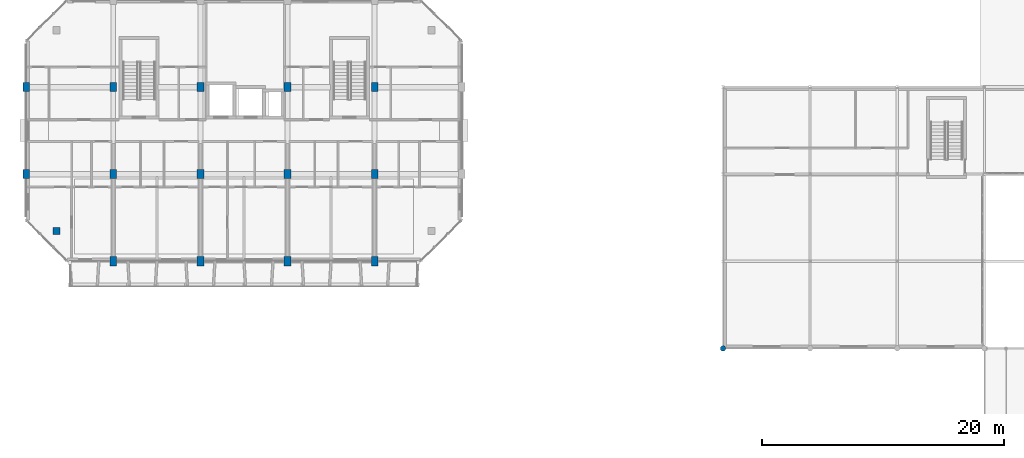
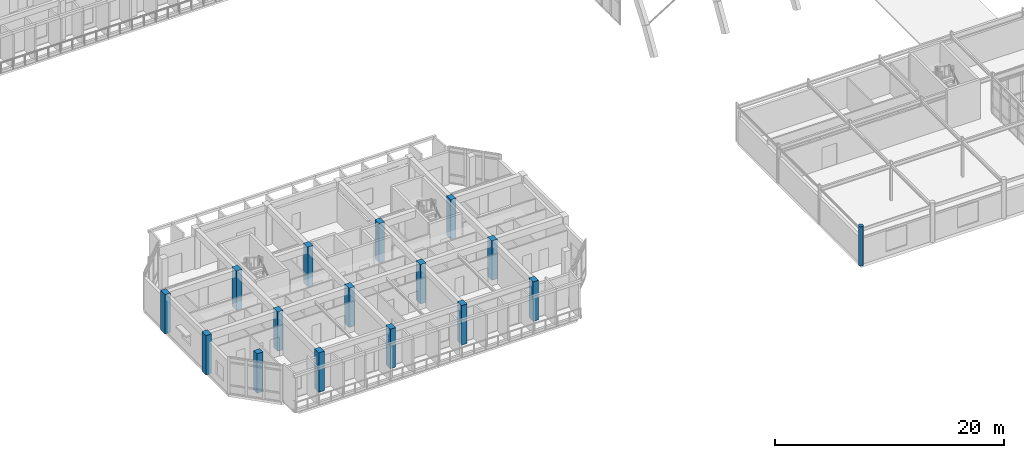
# One storey, part 1 of 85: 16 columns.
"""IFC4 building model written with IfcOpenShell, lengths in metres."""

import ifcopenshell
import ifcopenshell.guid

model = None  # the IFC model being written
_history = None  # IfcOwnerHistory: only IFC2X3 demands one
_inside = {}  # id of a spatial element -> (the spatial element, [elements in it])
_under = {}  # id of a project, library or spatial element -> (it, [spatial elements below it])
_declared = {}  # id of a project -> (the project, [libraries it declares])
_typed = {}  # id of a type object -> (the type object, [elements of that type])
_made_of = {}  # id of a material, layer set ... -> (it, [elements and type objects made of it])


def new_model(schema):
    """Start an empty IFC model of exactly this schema.

    Asked for "IFC4X3", IfcOpenShell would pick the latest addendum, in which some entities
    have other attributes; the version numbers below select the first issue.
    IFC2X3 requires an IfcOwnerHistory on every rooted entity: one is made here for all.
    """
    global model, _history
    if schema == "IFC4X3":
        model = ifcopenshell.file(schema_version=(4, 3, 0, 0))
    else:
        model = ifcopenshell.file(schema=schema)
    _inside.clear()
    _under.clear()
    _declared.clear()
    _typed.clear()
    _made_of.clear()
    _history = None
    if model.schema == "IFC2X3":
        org = make("IfcOrganization", Name="unknown")
        user = make(
            "IfcPersonAndOrganization",
            ThePerson=make("IfcPerson", FamilyName="unknown"),
            TheOrganization=org,
        )
        app = make(
            "IfcApplication",
            ApplicationDeveloper=org,
            Version="unknown",
            ApplicationFullName="unknown",
            ApplicationIdentifier="unknown",
        )
        _history = make(
            "IfcOwnerHistory",
            OwningUser=user,
            OwningApplication=app,
            ChangeAction="ADDED",
            CreationDate=0,
        )
    return model


def make(cls, **values):
    """One entity of the class cls with the attributes given. An attribute that is None is left unset."""
    return model.create_entity(
        cls, **{name: value for name, value in values.items() if value is not None}
    )


def rooted(cls, **values):
    """An entity with a GlobalId (a new one), such as an element, a storey or a relation."""
    return make(cls, GlobalId=ifcopenshell.guid.new(), OwnerHistory=_history, **values)


def si_unit(unit_type, name, prefix=None):
    """IfcSIUnit, for example si_unit("LENGTHUNIT", "METRE", prefix="MILLI")."""
    return make("IfcSIUnit", UnitType=unit_type, Prefix=prefix, Name=name)


def assignment(units):
    """IfcUnitAssignment: the units of a project."""
    return None if units is None else make("IfcUnitAssignment", Units=units)


def point(xyz):
    """IfcCartesianPoint."""
    return None if xyz is None else make("IfcCartesianPoint", Coordinates=xyz)


def direction(xyz):
    """IfcDirection."""
    return None if xyz is None else make("IfcDirection", DirectionRatios=xyz)


def frame(location, z_axis=None, x_axis=None):
    """IfcAxis2Placement3D, a coordinate frame: its origin and axes. An axis left out is left unset."""
    return make(
        "IfcAxis2Placement3D",
        Location=point(location),
        Axis=direction(z_axis),
        RefDirection=direction(x_axis),
    )


def frame_2d(location, x_axis=None):
    """IfcAxis2Placement2D, a coordinate frame in the plane: its origin and x axis."""
    return make(
        "IfcAxis2Placement2D", Location=point(location), RefDirection=direction(x_axis)
    )


def origin():
    """The frame at (0, 0, 0) with its axes left unset."""
    return frame((0.0, 0.0, 0.0))


def origin_2d():
    """The frame at (0, 0) in the plane with its x axis left unset."""
    return frame_2d((0.0, 0.0))


def place(relative_to, where):
    """IfcLocalPlacement: puts the frame where relative to a parent placement (None: the world)."""
    return make(
        "IfcLocalPlacement", PlacementRelTo=relative_to, RelativePlacement=where
    )


def context(
    kind, dimensions, precision=None, world=None, true_north=None, identifier=None
):
    """IfcGeometricRepresentationContext, for example the 3D "Model" context."""
    return make(
        "IfcGeometricRepresentationContext",
        ContextIdentifier=identifier,
        ContextType=kind,
        CoordinateSpaceDimension=dimensions,
        Precision=precision,
        WorldCoordinateSystem=world,
        TrueNorth=true_north,
    )


def subcontext(parent, identifier, kind, view, scale=None):
    """IfcGeometricRepresentationSubContext, for example "Body" below "Model"."""
    return make(
        "IfcGeometricRepresentationSubContext",
        ContextIdentifier=identifier,
        ContextType=kind,
        ParentContext=parent,
        TargetScale=scale,
        TargetView=view,
    )


def project(units=None, contexts=None):
    """IfcProject with its units and contexts."""
    return rooted(
        "IfcProject",
        Name="project",
        RepresentationContexts=contexts,
        UnitsInContext=assignment(units),
    )


def spatial(cls, under=None, at=None, **own):
    """A site, building, storey or space (cls), placed at a placement, below another one or the project."""
    s = rooted(cls, ObjectPlacement=at, **own)
    if under is not None:
        _under.setdefault(under.id(), (under, []))[1].append(s)
    return s


def profile(cls, at=None, kind="AREA", **sizes):
    """A parametric profile (cls). Its sizes go by their IFC names, for example OverallWidth=200.0."""
    return make(cls, ProfileType=kind, Position=at, **sizes)


def rectangle(**sizes):
    """IfcRectangleProfileDef."""
    return profile("IfcRectangleProfileDef", **sizes)


def circle(**sizes):
    """IfcCircleProfileDef."""
    return profile("IfcCircleProfileDef", **sizes)


def extrude(swept, where, along, depth):
    """IfcExtrudedAreaSolid: the profile swept, set in the frame where, extruded along a direction by depth."""
    return make(
        "IfcExtrudedAreaSolid",
        SweptArea=swept,
        Position=where,
        ExtrudedDirection=direction(along),
        Depth=depth,
    )


def shape(context_of_items, identifier, shape_type, items):
    """IfcShapeRepresentation: the items that make up one representation, for example the "Body"."""
    return make(
        "IfcShapeRepresentation",
        ContextOfItems=context_of_items,
        RepresentationIdentifier=identifier,
        RepresentationType=shape_type,
        Items=items,
    )


def material(Name=None, Category=None):
    """IfcMaterial."""
    return make("IfcMaterial", Name=Name, Category=Category)


def material_profile(
    of_material, cross_section, Name=None, Category=None, Priority=None
):
    """IfcMaterialProfile: a cross section and its material."""
    return make(
        "IfcMaterialProfile",
        Name=Name,
        Material=of_material,
        Profile=cross_section,
        Priority=Priority,
        Category=Category,
    )


def profile_set(profiles, Name=None, composite=None):
    """IfcMaterialProfileSet."""
    return make(
        "IfcMaterialProfileSet",
        Name=Name,
        MaterialProfiles=profiles,
        CompositeProfile=composite,
    )


def made_of(thing, what):
    """Note that an element or type object is made of a material, layer set ...; save() writes the relation."""
    if what is not None:
        _made_of.setdefault(what.id(), (what, []))[1].append(thing)
    return thing


def type_object(cls, material=None, **own):
    """A type object (cls), such as IfcWallType, which elements share."""
    return made_of(rooted(cls, **own), material)


def element(
    cls,
    number,
    at=None,
    inside=None,
    cuts=None,
    type_object=None,
    material=None,
    context=None,
    identifier="Body",
    shape_type=None,
    held_by="IfcProductDefinitionShape",
    body=None,
    shapes=None,
    **own,
):
    """One element of the class cls, such as IfcWall. Its Tag is "e" and its number.

    at: its placement. inside: the storey or other place that contains it. cuts: it is an
    opening in that element (IfcRelVoidsElement). A single representation is given by context,
    identifier, shape_type and body (its items); several are given by shapes. held_by: the class
    of the entity that holds the representations. save() writes the other relations.
    """
    e = rooted(cls, Tag="e%d" % number, ObjectPlacement=at, **own)
    if body is not None:
        shapes = [shape(context, identifier, shape_type, body)]
    if shapes is not None:
        e.Representation = make(held_by, Representations=shapes)
    if inside is not None:
        _inside.setdefault(inside.id(), (inside, []))[1].append(e)
    if cuts is not None:
        rooted(
            "IfcRelVoidsElement", RelatingBuildingElement=cuts, RelatedOpeningElement=e
        )
    if type_object is not None:
        _typed.setdefault(type_object.id(), (type_object, []))[1].append(e)
    return made_of(e, material)


def aggregate(whole, parts):
    """IfcRelAggregates: a whole, such as a stair, and the parts it consists of."""
    return rooted("IfcRelAggregates", RelatingObject=whole, RelatedObjects=parts)


def save(model, path):
    """Write the relations noted so far, then the file.

    IfcRelAggregates (storeys below a building ...), IfcRelContainedInSpatialStructure (elements
    in a storey), IfcRelDefinesByType, IfcRelAssociatesMaterial and IfcRelDeclares: one each for
    every whole, place, type object, material and project.
    """
    for whole, parts in _under.values():
        aggregate(whole, parts)
    for where, things in _inside.values():
        rooted(
            "IfcRelContainedInSpatialStructure",
            RelatedElements=things,
            RelatingStructure=where,
        )
    for kind, things in _typed.values():
        rooted("IfcRelDefinesByType", RelatedObjects=things, RelatingType=kind)
    for what, things in _made_of.values():
        rooted("IfcRelAssociatesMaterial", RelatedObjects=things, RelatingMaterial=what)
    for by, libraries in _declared.values():
        rooted("IfcRelDeclares", RelatingContext=by, RelatedDefinitions=libraries)
    model.write(path)


model = new_model("IFC4")

# Units and contexts
model_context = context("Model", 3, precision=1e-05, world=origin(), true_north=direction((0.0, 1.0)))
body_context = subcontext(model_context, "Body", "Model", "MODEL_VIEW")
ifc_project = project(units=[si_unit("LENGTHUNIT", "METRE"), si_unit("AREAUNIT", "SQUARE_METRE"), si_unit("VOLUMEUNIT", "CUBIC_METRE"), si_unit("PLANEANGLEUNIT", "RADIAN"), si_unit("MASSUNIT", "GRAM", prefix="KILO")], contexts=[model_context])

# Site, building, storey
site_placement = place(None, origin())
site = spatial("IfcSite", under=ifc_project, at=site_placement, CompositionType="ELEMENT")
building_placement = place(site_placement, origin())
building = spatial("IfcBuilding", under=site, at=building_placement, Name="Ochrevale Crest", CompositionType="ELEMENT")
storey_placement = place(building_placement, frame((0.0, 0.0, 4.5)))
storey = spatial("IfcBuildingStorey", under=building, at=storey_placement, Name="L01", CompositionType="ELEMENT", Elevation=4.5)

# Columns
ifc_material_1 = material(Name="Precast concrete C50/60", Category="concrete")
ifc_material_profile_1 = material_profile(ifc_material_1, rectangle(XDim=0.550048828125, YDim=0.75, at=origin_2d()), Name="RC 550x750")
ifc_profile_set_1 = profile_set([ifc_material_profile_1], Name="Precast concrete C50/60")
column_type_1 = type_object("IfcColumnType", Name="COL-RC550x750", PredefinedType="COLUMN", material=ifc_profile_set_1)
for number, where, z_axis, x_axis, name in (
    (1, (0.0, 21.60009765625, 0.0), (0.0, 0.0, 1.0), (1.0, 0.0, 0.0), "Block A L01 column (0.0,21.6)"),
    (2, (0.0, 28.800048828125, 0.0), (0.0, 0.0, 1.0), (1.0, 0.0, 0.0), "Block A L01 column (0.0,28.8)"),
    (3, (7.199951171875, 14.39990234375, 0.0), (0.0, 0.0, 1.0), (1.0, 0.0, 0.0), "Block A L01 column (7.2,14.4)"),
    (4, (7.199951171875, 21.60009765625, 0.0), (0.0, 0.0, 1.0), (1.0, 0.0, 0.0), "Block A L01 column (7.2,21.6)"),
    (5, (7.199951171875, 28.800048828125, 0.0), (0.0, 0.0, 1.0), (1.0, 0.0, 0.0), "Block A L01 column (7.2,28.8)"),
    (6, (14.39990234375, 14.39990234375, 0.0), (0.0, 0.0, 1.0), (1.0, 0.0, 0.0), "Block A L01 column (14.4,14.4)"),
    (7, (14.39990234375, 21.60009765625, 0.0), (0.0, 0.0, 1.0), (1.0, 0.0, 0.0), "Block A L01 column (14.4,21.6)"),
    (8, (14.39990234375, 28.800048828125, 0.0), (0.0, 0.0, 1.0), (1.0, 0.0, 0.0), "Block A L01 column (14.4,28.8)"),
    (9, (21.60009765625, 14.39990234375, 0.0), (0.0, 0.0, 1.0), (1.0, 0.0, 0.0), "Block A L01 column (21.6,14.4)"),
    (10, (21.60009765625, 21.60009765625, 0.0), (0.0, 0.0, 1.0), (1.0, 0.0, 0.0), "Block A L01 column (21.6,21.6)"),
    (11, (21.60009765625, 28.800048828125, 0.0), (0.0, 0.0, 1.0), (1.0, 0.0, 0.0), "Block A L01 column (21.6,28.8)"),
    (12, (28.800048828125, 14.39990234375, 0.0), (0.0, 0.0, 1.0), (1.0, 0.0, 0.0), "Block A L01 column (28.8,14.4)"),
    (13, (28.800048828125, 21.60009765625, 0.0), (0.0, 0.0, 1.0), (1.0, 0.0, 0.0), "Block A L01 column (28.8,21.6)"),
    (14, (28.800048828125, 28.800048828125, 0.0), (0.0, 0.0, 1.0), (1.0, 0.0, 0.0), "Block A L01 column (28.8,28.8)"),
):
    element("IfcColumn", number, at=place(storey_placement, frame(where, z_axis=z_axis, x_axis=x_axis)), inside=storey, type_object=column_type_1, Name=name, PredefinedType="COLUMN", context=body_context, shape_type="SweptSolid", body=[
        extrude(rectangle(XDim=0.550048828125, YDim=0.75, at=origin_2d()), origin(), (0.0, 0.0, 1.0), 4.199951171875),
    ])
ifc_material_profile_2 = material_profile(ifc_material_1, rectangle(XDim=0.60009765625, YDim=0.60009765625, at=origin_2d()), Name="RC 600x600")
ifc_profile_set_2 = profile_set([ifc_material_profile_2], Name="Precast concrete C50/60")
column_type_2 = type_object("IfcColumnType", Name="COL-RC600x600", PredefinedType="COLUMN", material=ifc_profile_set_2)
column_1_placement = place(storey_placement, frame((2.5, 16.89990234375, 0.0), z_axis=(0.0, 0.0, 1.0), x_axis=(1.0, 0.0, 0.0)))
element("IfcColumn", 15, at=column_1_placement, inside=storey, type_object=column_type_2, Name="Block A L01 column (2.5,16.9)", PredefinedType="COLUMN", context=body_context, shape_type="SweptSolid", body=[
    extrude(rectangle(XDim=0.60009765625, YDim=0.60009765625, at=origin_2d()), origin(), (0.0, 0.0, 1.0), 4.199951171875),
])
ifc_material_2 = material(Name="Precast concrete C40/50", Category="concrete")
ifc_material_profile_3 = material_profile(ifc_material_2, circle(Radius=0.22509765625, at=origin_2d()), Name="RC D450")
ifc_profile_set_3 = profile_set([ifc_material_profile_3], Name="Precast concrete C40/50")
column_type_3 = type_object("IfcColumnType", Name="COL-RCD450", PredefinedType="COLUMN", material=ifc_profile_set_3)
column_2_placement = place(storey_placement, frame((57.60009765625, 7.199951171875, 0.0), z_axis=(0.0, 0.0, 1.0), x_axis=(1.0, 0.0, 0.0)))
element("IfcColumn", 16, at=column_2_placement, inside=storey, type_object=column_type_3, Name="Retail arcade L01 column (57.6,7.2)", PredefinedType="COLUMN", context=body_context, shape_type="SweptSolid", body=[
    extrude(circle(Radius=0.22509765625, at=origin_2d()), origin(), (0.0, 0.0, 1.0), 4.199951171875),
])

save(model, "model.ifc")
